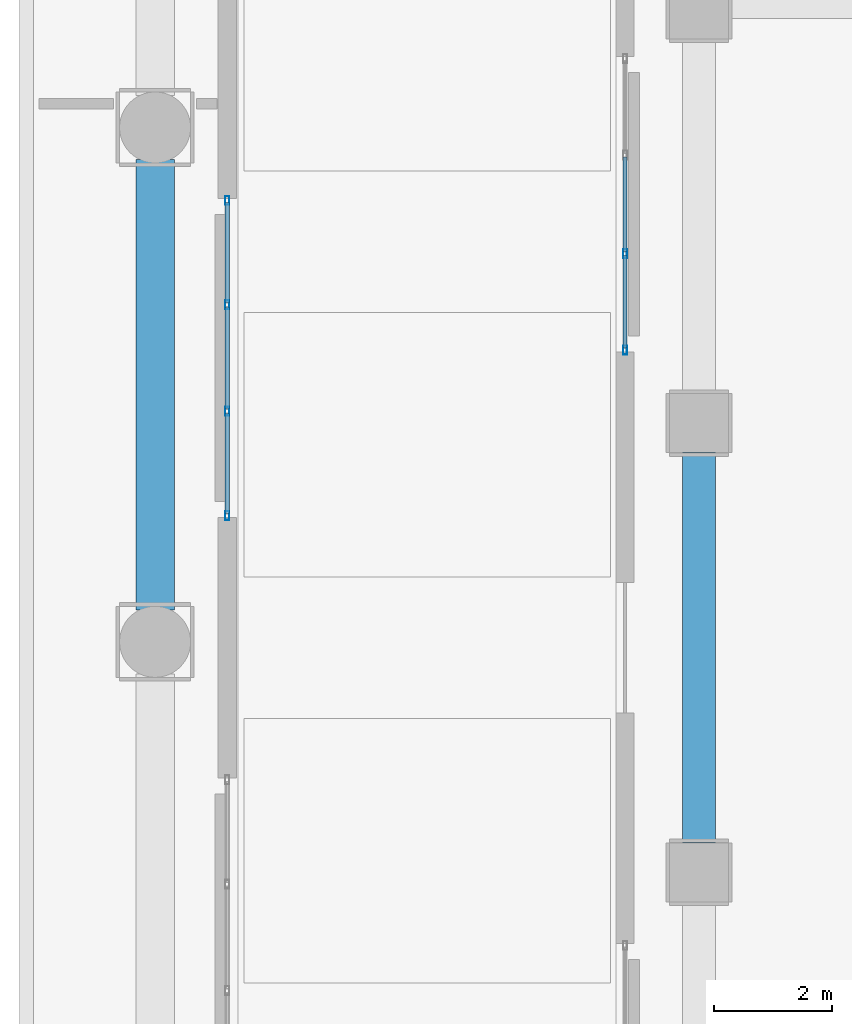
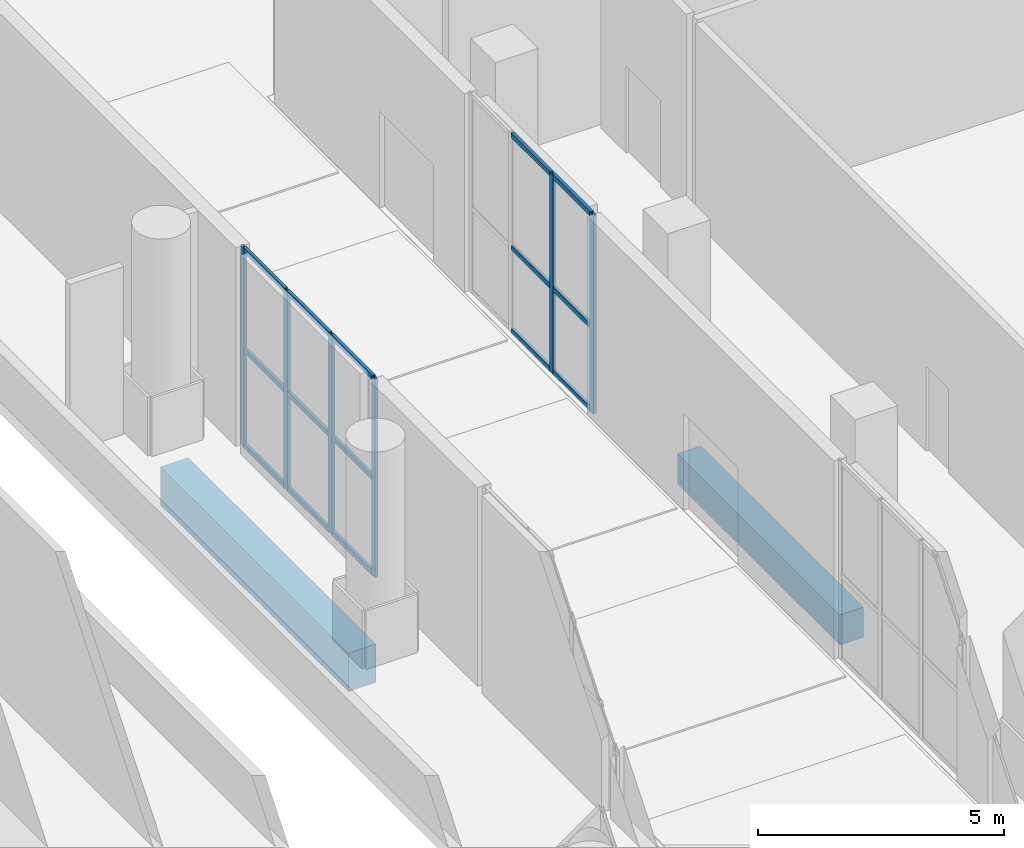
# One storey, part 11 of 30: 21 members, 2 beams, 2 elements without a shape of their own.
"""IFC4 building model written with IfcOpenShell, lengths in metres."""

from ifc_helpers import new_model, si_unit, direction, frame, origin, origin_2d, place, context, subcontext, project, spatial, rectangle, hollow_rectangle, extrude, material, layer, layer_set, material_profile, profile_set, type_object, element, aggregate, save


model = new_model("IFC4")

# Units and contexts
model_context = context("Model", 3, precision=1e-05, world=origin(), true_north=direction((0.0, 1.0)))
body_context = subcontext(model_context, "Body", "Model", "MODEL_VIEW")
ifc_project = project(units=[si_unit("LENGTHUNIT", "METRE"), si_unit("AREAUNIT", "SQUARE_METRE"), si_unit("VOLUMEUNIT", "CUBIC_METRE"), si_unit("PLANEANGLEUNIT", "RADIAN"), si_unit("MASSUNIT", "GRAM", prefix="KILO")], contexts=[model_context])

# Site, building, storey
site_placement = place(None, origin())
site = spatial("IfcSite", under=ifc_project, at=site_placement, CompositionType="ELEMENT")
building_placement = place(site_placement, origin())
building = spatial("IfcBuilding", under=site, at=building_placement, Name="Solanera Arch Residences", CompositionType="ELEMENT")
storey_placement = place(building_placement, origin())
storey = spatial("IfcBuildingStorey", under=building, at=storey_placement, Name="L00", CompositionType="ELEMENT", Elevation=0.0)

# Curtain wall, members
ifc_material_1 = material(Name="Anodised Aluminium Alloy 6063-T6", Category="aluminium")
ifc_layer_1 = layer(ifc_material_1, 0.14990234375)
ifc_layer_set_1 = layer_set([ifc_layer_1], Name="Anodised Aluminium Alloy 6063-T6")
curtain_wall_type_1 = type_object("IfcCurtainWallType", Name="CW-2 Paseo Shopfront Glazing", PredefinedType="USERDEFINED", material=ifc_layer_set_1)
curtain_wall_1_placement = place(storey_placement, origin())
curtain_wall_1 = element("IfcCurtainWall", 1, at=curtain_wall_1_placement, inside=storey, type_object=curtain_wall_type_1, Name="L00 Paseo Shopfront Curtain Wall 1", ObjectType="CURTAIN_WALL", PredefinedType="USERDEFINED")
ifc_material_2 = material(Name="Anodised Aluminium Alloy 6063-T6", Category="aluminium")
ifc_material_profile_1 = material_profile(ifc_material_2, hollow_rectangle(XDim=0.070068359375, YDim=0.14990234375, WallThickness=0.00390625, at=origin_2d()))
ifc_profile_set_1 = profile_set([ifc_material_profile_1], Name="Anodised Aluminium Alloy 6063-T6")
member_type_1 = type_object("IfcMemberType", Name="Curtain Wall Mullion ALU-MUL-70X150", PredefinedType="MULLION", material=ifc_profile_set_1)
member_1_placement = place(storey_placement, frame((47.820068359375, 38.1650390625, 0.0), z_axis=(0.0, 0.0, 1.0), x_axis=(1.0, 0.0, 0.0)))
member_1 = element("IfcMember", 2, at=member_1_placement, type_object=member_type_1, Name="CW-2 mullion 1", PredefinedType="MULLION", context=body_context, shape_type="SweptSolid", body=[
    extrude(hollow_rectangle(XDim=0.070068359375, YDim=0.14990234375, WallThickness=0.00390625, at=origin_2d()), origin(), (0.0, 0.0, 1.0), 4.919921875),
])
member_2_placement = place(storey_placement, frame((47.820068359375, 36.39990234375, 0.0), z_axis=(0.0, 0.0, 1.0), x_axis=(1.0, 0.0, 0.0)))
member_2 = element("IfcMember", 3, at=member_2_placement, type_object=member_type_1, Name="CW-2 mullion 2", PredefinedType="MULLION", context=body_context, shape_type="SweptSolid", body=[
    extrude(hollow_rectangle(XDim=0.070068359375, YDim=0.14990234375, WallThickness=0.00390625, at=origin_2d()), origin(), (0.0, 0.0, 1.0), 4.919921875),
])
member_3_placement = place(storey_placement, frame((47.820068359375, 34.60009765625, 0.0), z_axis=(0.0, 0.0, 1.0), x_axis=(1.0, 0.0, 0.0)))
member_3 = element("IfcMember", 4, at=member_3_placement, type_object=member_type_1, Name="CW-2 mullion 3", PredefinedType="MULLION", context=body_context, shape_type="SweptSolid", body=[
    extrude(hollow_rectangle(XDim=0.070068359375, YDim=0.14990234375, WallThickness=0.00390625, at=origin_2d()), origin(), (0.0, 0.0, 1.0), 4.919921875),
])
member_4_placement = place(storey_placement, frame((47.820068359375, 32.8349609375, 0.0), z_axis=(0.0, 0.0, 1.0), x_axis=(1.0, 0.0, 0.0)))
member_4 = element("IfcMember", 5, at=member_4_placement, type_object=member_type_1, Name="CW-2 mullion 4", PredefinedType="MULLION", context=body_context, shape_type="SweptSolid", body=[
    extrude(hollow_rectangle(XDim=0.070068359375, YDim=0.14990234375, WallThickness=0.00390625, at=origin_2d()), origin(), (0.0, 0.0, 1.0), 4.919921875),
])

ifc_material_3 = material(Name="Anodised Aluminium Alloy 6063-T6", Category="aluminium")
ifc_layer_2 = layer(ifc_material_3, 0.159912109375)
ifc_layer_set_2 = layer_set([ifc_layer_2], Name="Anodised Aluminium Alloy 6063-T6")
curtain_wall_type_2 = type_object("IfcCurtainWallType", Name="CW-3 Sports Hall Foyer Curtain Wall", PredefinedType="USERDEFINED", material=ifc_layer_set_2)
curtain_wall_2_placement = place(storey_placement, origin())
curtain_wall_2 = element("IfcCurtainWall", 6, at=curtain_wall_2_placement, inside=storey, type_object=curtain_wall_type_2, Name="L00 Sports Hall Foyer Curtain Wall 2", ObjectType="CURTAIN_WALL", PredefinedType="USERDEFINED")
member_5_placement = place(storey_placement, frame((54.550048828125, 35.635009765625, 0.0), z_axis=(0.0, 0.0, 1.0), x_axis=(-1.0, 0.0, 0.0)))
member_5 = element("IfcMember", 7, at=member_5_placement, type_object=member_type_1, Name="CW-3 mullion 1", PredefinedType="MULLION", context=body_context, shape_type="SweptSolid", body=[
    extrude(hollow_rectangle(XDim=0.070068359375, YDim=0.14990234375, WallThickness=0.00390625, at=origin_2d()), origin(), (0.0, 0.0, 1.0), 4.919921875),
])
member_6_placement = place(storey_placement, frame((54.550048828125, 37.2666015625, 0.0), z_axis=(0.0, 0.0, 1.0), x_axis=(-1.0, 0.0, 0.0)))
member_6 = element("IfcMember", 8, at=member_6_placement, type_object=member_type_1, Name="CW-3 mullion 2", PredefinedType="MULLION", context=body_context, shape_type="SweptSolid", body=[
    extrude(hollow_rectangle(XDim=0.070068359375, YDim=0.14990234375, WallThickness=0.00390625, at=origin_2d()), origin(), (0.0, 0.0, 1.0), 4.919921875),
])

# Member
ifc_material_4 = material(Name="Anodised Aluminium Alloy 6063-T6", Category="aluminium")
ifc_material_profile_2 = material_profile(ifc_material_4, hollow_rectangle(XDim=0.070068359375, YDim=0.1201171875, WallThickness=0.00390625, at=origin_2d()))
ifc_profile_set_2 = profile_set([ifc_material_profile_2], Name="Anodised Aluminium Alloy 6063-T6")
member_type_2 = type_object("IfcMemberType", Name="Curtain Wall Transom ALU-TRN-70X120", PredefinedType="USERDEFINED", material=ifc_profile_set_2)
member_7_placement = place(storey_placement, frame((47.820068359375, 38.1298828125, 0.034912109375), z_axis=(0.0, -1.0, 0.0), x_axis=(1.0, 0.0, 0.0)))
member_7 = element("IfcMember", 9, at=member_7_placement, type_object=member_type_2, Name="CW-2 transom 1.1", ObjectType="TRANSOM", PredefinedType="USERDEFINED", context=body_context, shape_type="SweptSolid", body=[
    extrude(hollow_rectangle(XDim=0.070068359375, YDim=0.1201171875, WallThickness=0.00390625, at=origin_2d()), origin(), (0.0, 0.0, 1.0), 1.69482421875),
])

member_8_placement = place(storey_placement, frame((47.820068359375, 38.1298828125, 2.39990234375), z_axis=(0.0, -1.0, 0.0), x_axis=(1.0, 0.0, 0.0)))
member_8 = element("IfcMember", 10, at=member_8_placement, type_object=member_type_2, Name="CW-2 transom 1.2", ObjectType="TRANSOM", PredefinedType="USERDEFINED", context=body_context, shape_type="SweptSolid", body=[
    extrude(hollow_rectangle(XDim=0.070068359375, YDim=0.1201171875, WallThickness=0.00390625, at=origin_2d()), origin(), (0.0, 0.0, 1.0), 1.69482421875),
])

member_9_placement = place(storey_placement, frame((47.820068359375, 38.1298828125, 4.885009765625), z_axis=(0.0, -1.0, 0.0), x_axis=(1.0, 0.0, 0.0)))
member_9 = element("IfcMember", 11, at=member_9_placement, type_object=member_type_2, Name="CW-2 transom 1.3", ObjectType="TRANSOM", PredefinedType="USERDEFINED", context=body_context, shape_type="SweptSolid", body=[
    extrude(hollow_rectangle(XDim=0.070068359375, YDim=0.1201171875, WallThickness=0.00390625, at=origin_2d()), origin(), (0.0, 0.0, 1.0), 1.69482421875),
])

member_10_placement = place(storey_placement, frame((47.820068359375, 36.364990234375, 0.034912109375), z_axis=(0.0, -1.0, 0.0), x_axis=(1.0, 0.0, 0.0)))
member_10 = element("IfcMember", 12, at=member_10_placement, type_object=member_type_2, Name="CW-2 transom 2.1", ObjectType="TRANSOM", PredefinedType="USERDEFINED", context=body_context, shape_type="SweptSolid", body=[
    extrude(hollow_rectangle(XDim=0.070068359375, YDim=0.1201171875, WallThickness=0.00390625, at=origin_2d()), origin(), (0.0, 0.0, 1.0), 1.72998046875),
])

member_11_placement = place(storey_placement, frame((47.820068359375, 36.364990234375, 2.39990234375), z_axis=(0.0, -1.0, 0.0), x_axis=(1.0, 0.0, 0.0)))
member_11 = element("IfcMember", 13, at=member_11_placement, type_object=member_type_2, Name="CW-2 transom 2.2", ObjectType="TRANSOM", PredefinedType="USERDEFINED", context=body_context, shape_type="SweptSolid", body=[
    extrude(hollow_rectangle(XDim=0.070068359375, YDim=0.1201171875, WallThickness=0.00390625, at=origin_2d()), origin(), (0.0, 0.0, 1.0), 1.72998046875),
])

member_12_placement = place(storey_placement, frame((47.820068359375, 36.364990234375, 4.885009765625), z_axis=(0.0, -1.0, 0.0), x_axis=(1.0, 0.0, 0.0)))
member_12 = element("IfcMember", 14, at=member_12_placement, type_object=member_type_2, Name="CW-2 transom 2.3", ObjectType="TRANSOM", PredefinedType="USERDEFINED", context=body_context, shape_type="SweptSolid", body=[
    extrude(hollow_rectangle(XDim=0.070068359375, YDim=0.1201171875, WallThickness=0.00390625, at=origin_2d()), origin(), (0.0, 0.0, 1.0), 1.72998046875),
])

member_13_placement = place(storey_placement, frame((47.820068359375, 34.56494140625, 0.034912109375), z_axis=(0.0, -1.0, 0.0), x_axis=(1.0, 0.0, 0.0)))
member_13 = element("IfcMember", 15, at=member_13_placement, type_object=member_type_2, Name="CW-2 transom 3.1", ObjectType="TRANSOM", PredefinedType="USERDEFINED", context=body_context, shape_type="SweptSolid", body=[
    extrude(hollow_rectangle(XDim=0.070068359375, YDim=0.1201171875, WallThickness=0.00390625, at=origin_2d()), origin(), (0.0, 0.0, 1.0), 1.69482421875),
])

member_14_placement = place(storey_placement, frame((47.820068359375, 34.56494140625, 2.39990234375), z_axis=(0.0, -1.0, 0.0), x_axis=(1.0, 0.0, 0.0)))
member_14 = element("IfcMember", 16, at=member_14_placement, type_object=member_type_2, Name="CW-2 transom 3.2", ObjectType="TRANSOM", PredefinedType="USERDEFINED", context=body_context, shape_type="SweptSolid", body=[
    extrude(hollow_rectangle(XDim=0.070068359375, YDim=0.1201171875, WallThickness=0.00390625, at=origin_2d()), origin(), (0.0, 0.0, 1.0), 1.69482421875),
])

member_15_placement = place(storey_placement, frame((47.820068359375, 34.56494140625, 4.885009765625), z_axis=(0.0, -1.0, 0.0), x_axis=(1.0, 0.0, 0.0)))
member_15 = element("IfcMember", 17, at=member_15_placement, type_object=member_type_2, Name="CW-2 transom 3.3", ObjectType="TRANSOM", PredefinedType="USERDEFINED", context=body_context, shape_type="SweptSolid", body=[
    extrude(hollow_rectangle(XDim=0.070068359375, YDim=0.1201171875, WallThickness=0.00390625, at=origin_2d()), origin(), (0.0, 0.0, 1.0), 1.69482421875),
])

aggregate(curtain_wall_1, [member_1, member_2, member_3, member_4, member_7, member_8, member_9, member_10, member_11, member_12, member_13, member_14, member_15])

member_16_placement = place(storey_placement, frame((54.550048828125, 35.669921875, 0.034912109375), z_axis=(0.0, 1.0, 0.0), x_axis=(-1.0, 0.0, 0.0)))
member_16 = element("IfcMember", 18, at=member_16_placement, type_object=member_type_2, Name="CW-3 transom 1.1", ObjectType="TRANSOM", PredefinedType="USERDEFINED", context=body_context, shape_type="SweptSolid", body=[
    extrude(hollow_rectangle(XDim=0.070068359375, YDim=0.1201171875, WallThickness=0.00390625, at=origin_2d()), origin(), (0.0, 0.0, 1.0), 1.561767578125),
])

member_17_placement = place(storey_placement, frame((54.550048828125, 35.669921875, 2.10009765625), z_axis=(0.0, 1.0, 0.0), x_axis=(-1.0, 0.0, 0.0)))
member_17 = element("IfcMember", 19, at=member_17_placement, type_object=member_type_2, Name="CW-3 transom 1.2", ObjectType="TRANSOM", PredefinedType="USERDEFINED", context=body_context, shape_type="SweptSolid", body=[
    extrude(hollow_rectangle(XDim=0.070068359375, YDim=0.1201171875, WallThickness=0.00390625, at=origin_2d()), origin(), (0.0, 0.0, 1.0), 1.561767578125),
])

member_18_placement = place(storey_placement, frame((54.550048828125, 35.669921875, 4.885009765625), z_axis=(0.0, 1.0, 0.0), x_axis=(-1.0, 0.0, 0.0)))
member_18 = element("IfcMember", 20, at=member_18_placement, type_object=member_type_2, Name="CW-3 transom 1.3", ObjectType="TRANSOM", PredefinedType="USERDEFINED", context=body_context, shape_type="SweptSolid", body=[
    extrude(hollow_rectangle(XDim=0.070068359375, YDim=0.1201171875, WallThickness=0.00390625, at=origin_2d()), origin(), (0.0, 0.0, 1.0), 1.561767578125),
])

member_19_placement = place(storey_placement, frame((54.550048828125, 37.3017578125, 0.034912109375), z_axis=(0.0, 1.0, 0.0), x_axis=(-1.0, 0.0, 0.0)))
member_19 = element("IfcMember", 21, at=member_19_placement, type_object=member_type_2, Name="CW-3 transom 2.1", ObjectType="TRANSOM", PredefinedType="USERDEFINED", context=body_context, shape_type="SweptSolid", body=[
    extrude(hollow_rectangle(XDim=0.070068359375, YDim=0.1201171875, WallThickness=0.00390625, at=origin_2d()), origin(), (0.0, 0.0, 1.0), 1.5966796875),
])

member_20_placement = place(storey_placement, frame((54.550048828125, 37.3017578125, 2.10009765625), z_axis=(0.0, 1.0, 0.0), x_axis=(-1.0, 0.0, 0.0)))
member_20 = element("IfcMember", 22, at=member_20_placement, type_object=member_type_2, Name="CW-3 transom 2.2", ObjectType="TRANSOM", PredefinedType="USERDEFINED", context=body_context, shape_type="SweptSolid", body=[
    extrude(hollow_rectangle(XDim=0.070068359375, YDim=0.1201171875, WallThickness=0.00390625, at=origin_2d()), origin(), (0.0, 0.0, 1.0), 1.5966796875),
])

member_21_placement = place(storey_placement, frame((54.550048828125, 37.3017578125, 4.885009765625), z_axis=(0.0, 1.0, 0.0), x_axis=(-1.0, 0.0, 0.0)))
member_21 = element("IfcMember", 23, at=member_21_placement, type_object=member_type_2, Name="CW-3 transom 2.3", ObjectType="TRANSOM", PredefinedType="USERDEFINED", context=body_context, shape_type="SweptSolid", body=[
    extrude(hollow_rectangle(XDim=0.070068359375, YDim=0.1201171875, WallThickness=0.00390625, at=origin_2d()), origin(), (0.0, 0.0, 1.0), 1.5966796875),
])

aggregate(curtain_wall_2, [member_5, member_6, member_16, member_17, member_18, member_19, member_20, member_21])

# Beams
ifc_material_5 = material(Name="Concrete C40/50 (f'c = 45 MPa)", Category="concrete")
ifc_material_profile_3 = material_profile(ifc_material_5, rectangle(XDim=0.550048828125, YDim=0.75, at=origin_2d()))
ifc_profile_set_3 = profile_set([ifc_material_profile_3], Name="Concrete C40/50 (f'c = 45 MPa)")
beam_type_1 = type_object("IfcBeamType", Name="Primary Beam RC-BM-550X750", PredefinedType="BEAM", material=ifc_profile_set_3)
beam_1_placement = place(storey_placement, frame((55.800048828125, 27.300048828125, -0.695068359375), z_axis=(0.0, 1.0, 0.0), x_axis=(-1.0, 0.0, 0.0)))
element("IfcBeam", 24, at=beam_1_placement, inside=storey, type_object=beam_type_1, Name="BM-L00-HW-3", PredefinedType="BEAM", context=body_context, shape_type="SweptSolid", body=[
    extrude(rectangle(XDim=0.550048828125, YDim=0.75, at=origin_2d()), origin(), (0.0, 0.0, 1.0), 6.599853515625),
])
ifc_material_6 = material(Name="Concrete C40/50 (f'c = 45 MPa)", Category="concrete")
ifc_material_profile_4 = material_profile(ifc_material_6, rectangle(XDim=0.64990234375, YDim=0.949951171875, at=origin_2d()))
ifc_profile_set_4 = profile_set([ifc_material_profile_4], Name="Concrete C40/50 (f'c = 45 MPa)")
beam_type_2 = type_object("IfcBeamType", Name="Primary Beam RC-BM-650X950", PredefinedType="BEAM", material=ifc_profile_set_4)
beam_2_placement = place(storey_placement, frame((46.60009765625, 31.239990234375, -0.89501953125), z_axis=(0.0, 1.0, 0.0), x_axis=(-1.0, 0.0, 0.0)))
element("IfcBeam", 25, at=beam_2_placement, inside=storey, type_object=beam_type_2, Name="BM-L00-POD-E3", PredefinedType="BEAM", context=body_context, shape_type="SweptSolid", body=[
    extrude(rectangle(XDim=0.64990234375, YDim=0.949951171875, at=origin_2d()), origin(), (0.0, 0.0, 1.0), 7.6201171875),
])

save(model, "model.ifc")
